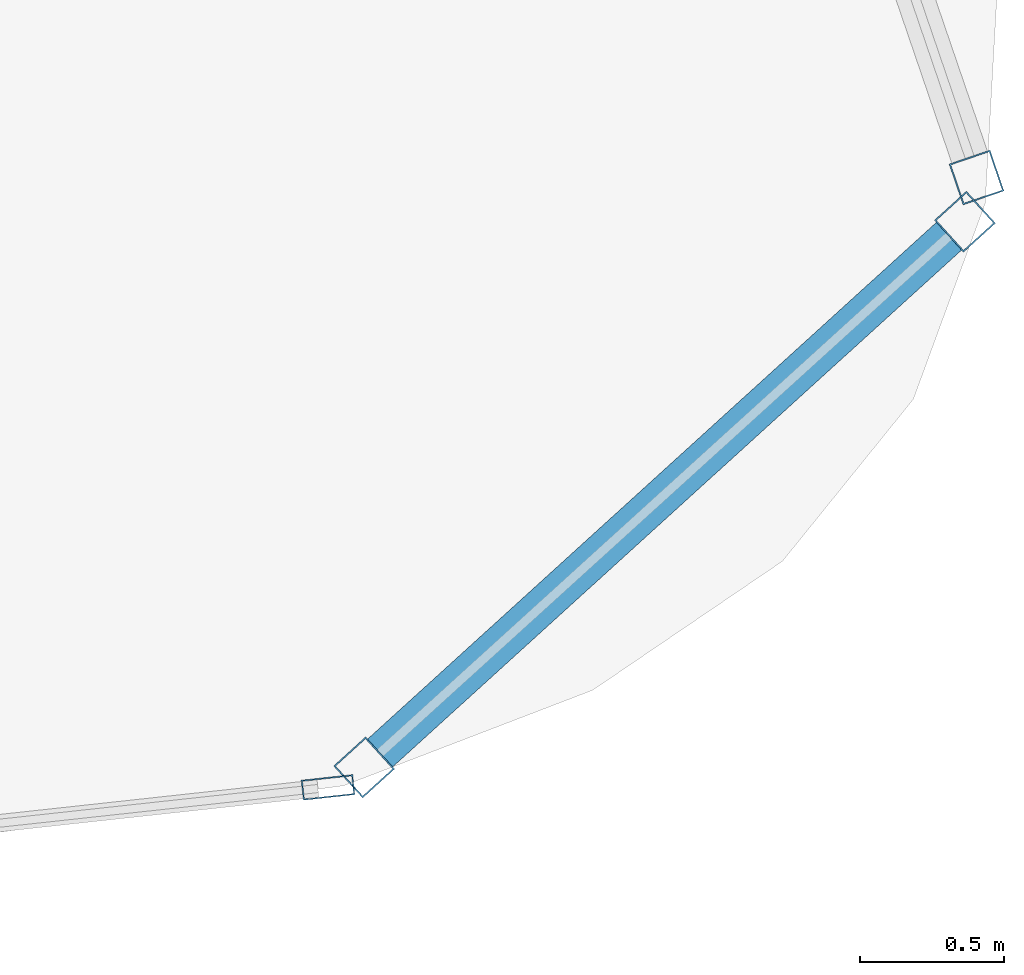
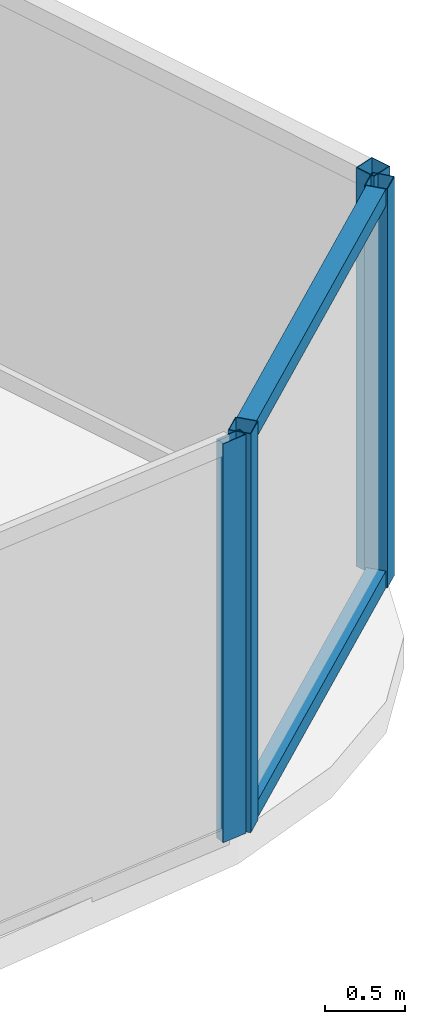
# One storey, part 15 of 33: 6 members, 3 elements without a shape of their own.
"""IFC4 building model written with IfcOpenShell, lengths in metres."""

from ifc_helpers import new_model, si_unit, direction, frame, origin, origin_2d, place, context, subcontext, project, spatial, hollow_rectangle, extrude, material, layer, layer_set, material_profile, profile_set, type_object, element, aggregate, save


model = new_model("IFC4")

# Units and contexts
model_context = context("Model", 3, precision=1e-05, world=origin(), true_north=direction((0.0, 1.0)))
body_context = subcontext(model_context, "Body", "Model", "MODEL_VIEW")
ifc_project = project(units=[si_unit("LENGTHUNIT", "METRE"), si_unit("AREAUNIT", "SQUARE_METRE"), si_unit("VOLUMEUNIT", "CUBIC_METRE"), si_unit("PLANEANGLEUNIT", "RADIAN"), si_unit("MASSUNIT", "GRAM", prefix="KILO")], contexts=[model_context])

# Site, building, storey
site_placement = place(None, origin())
site = spatial("IfcSite", under=ifc_project, at=site_placement, CompositionType="ELEMENT")
building_placement = place(site_placement, origin())
building = spatial("IfcBuilding", under=site, at=building_placement, Name="Orvanel Arch Residences", CompositionType="ELEMENT")
storey_placement = place(building_placement, frame((0.0, 0.0, 84.050048828125)))
storey = spatial("IfcBuildingStorey", under=building, at=storey_placement, Name="L23", CompositionType="ELEMENT", Elevation=84.050048828125)

# Curtain wall, members
ifc_material = material(Name="Bronze-anodised aluminium AA6063-T6", Category="aluminium")
ifc_layer_1 = layer(ifc_material, 0.18994140625)
ifc_layer_set_1 = layer_set([ifc_layer_1], Name="Bronze-anodised aluminium AA6063-T6")
curtain_wall_type_1 = type_object("IfcCurtainWallType", Name="CW5-CRN-SYS", PredefinedType="NOTDEFINED", material=ifc_layer_set_1)
curtain_wall_1_placement = place(storey_placement, origin())
curtain_wall_1 = element("IfcCurtainWall", 1, at=curtain_wall_1_placement, inside=storey, type_object=curtain_wall_type_1, Name="L23 CW5-CRN-SYS Unitised Curtain Wall", PredefinedType="NOTDEFINED")
ifc_material_profile_1 = material_profile(ifc_material, hollow_rectangle(XDim=0.14990234375, YDim=0.14990234375, WallThickness=0.0048828125, at=origin_2d()), Name="ALU150x150x5")
ifc_profile_set_1 = profile_set([ifc_material_profile_1], Name="Bronze-anodised aluminium AA6063-T6")
member_type_1 = type_object("IfcMemberType", Name="MUL-150x150", PredefinedType="MULLION", material=ifc_profile_set_1)
member_1_placement = place(storey_placement, frame((58.199462890625, 4.386474609375, 0.0), z_axis=(0.0, 0.0, 1.0), x_axis=(-0.672387273249, 0.740199537134, 0.0)))
member_1 = element("IfcMember", 2, at=member_1_placement, type_object=member_type_1, Name="CW-S5 mullion 1", PredefinedType="MULLION", context=body_context, shape_type="SweptSolid", body=[
    extrude(hollow_rectangle(XDim=0.14990234375, YDim=0.14990234375, WallThickness=0.0048828125, at=origin_2d()), origin(), (0.0, 0.0, 1.0), 3.06005859375),
])
member_2_placement = place(storey_placement, frame((60.282470703125, 6.278564453125, 0.0), z_axis=(0.0, 0.0, 1.0), x_axis=(-0.672387273249, 0.740199537134, 0.0)))
member_2 = element("IfcMember", 3, at=member_2_placement, type_object=member_type_1, Name="CW-S5 mullion 2", PredefinedType="MULLION", context=body_context, shape_type="SweptSolid", body=[
    extrude(hollow_rectangle(XDim=0.14990234375, YDim=0.14990234375, WallThickness=0.0048828125, at=origin_2d()), origin(), (0.0, 0.0, 1.0), 3.06005859375),
])

# Curtain wall, member
curtain_wall_2_placement = place(storey_placement, origin())
curtain_wall_2 = element("IfcCurtainWall", 4, at=curtain_wall_2_placement, inside=storey, type_object=curtain_wall_type_1, Name="L23 CW5-CRN-SYS Unitised Curtain Wall", PredefinedType="NOTDEFINED")
member_3_placement = place(storey_placement, frame((60.32275390625, 6.431884765625, 0.0), z_axis=(0.0, 0.0, 1.0), x_axis=(-0.946249453403, -0.32343774043, 0.0)))
member_3 = element("IfcMember", 5, at=member_3_placement, type_object=member_type_1, Name="CW-S5 mullion 1", PredefinedType="MULLION", context=body_context, shape_type="SweptSolid", body=[
    extrude(hollow_rectangle(XDim=0.14990234375, YDim=0.14990234375, WallThickness=0.0048828125, at=origin_2d()), origin(), (0.0, 0.0, 1.0), 3.06005859375),
])
aggregate(curtain_wall_2, [member_3])

ifc_layer_2 = layer(ifc_material, 0.179931640625)
ifc_layer_set_2 = layer_set([ifc_layer_2], Name="Bronze-anodised aluminium AA6063-T6")
curtain_wall_type_2 = type_object("IfcCurtainWallType", Name="CW2-LOW-SYS", PredefinedType="NOTDEFINED", material=ifc_layer_set_2)
curtain_wall_3_placement = place(storey_placement, origin())
curtain_wall_3 = element("IfcCurtainWall", 6, at=curtain_wall_3_placement, inside=storey, type_object=curtain_wall_type_2, Name="L23 CW2-LOW-SYS Unitised Curtain Wall", PredefinedType="NOTDEFINED")
ifc_material_profile_2 = material_profile(ifc_material, hollow_rectangle(XDim=0.070068359375, YDim=0.179931640625, WallThickness=0.00439453125, at=origin_2d()), Name="ALU180x70x4.5")
ifc_profile_set_2 = profile_set([ifc_material_profile_2], Name="Bronze-anodised aluminium AA6063-T6")
member_type_2 = type_object("IfcMemberType", Name="MUL-180x70", PredefinedType="MULLION", material=ifc_profile_set_2)
member_4_placement = place(storey_placement, frame((58.07421875, 4.317138671875, 0.0), z_axis=(0.0, 0.0, 1.0), x_axis=(-0.108307893213, 0.994117397629, 0.0)))
member_4 = element("IfcMember", 7, at=member_4_placement, type_object=member_type_2, Name="CW-S2 mullion 4", PredefinedType="MULLION", context=body_context, shape_type="SweptSolid", body=[
    extrude(hollow_rectangle(XDim=0.070068359375, YDim=0.179931640625, WallThickness=0.00439453125, at=origin_2d()), origin(), (0.0, 0.0, 1.0), 3.06005859375),
])
aggregate(curtain_wall_3, [member_4])

# Member
ifc_material_profile_3 = material_profile(ifc_material, hollow_rectangle(XDim=0.1298828125, YDim=0.1298828125, WallThickness=0.00439453125, at=origin_2d()), Name="ALU130x130x4.5")
ifc_profile_set_3 = profile_set([ifc_material_profile_3], Name="Bronze-anodised aluminium AA6063-T6")
member_type_3 = type_object("IfcMemberType", Name="TRN-130x130", PredefinedType="USERDEFINED", material=ifc_profile_set_3)
member_5_placement = place(storey_placement, frame((58.255126953125, 4.436767578125, 0.06494140625), z_axis=(0.74020126261, 0.672385373749, 0.0), x_axis=(-0.672385373749, 0.74020126261, 0.0)))
member_5 = element("IfcMember", 8, at=member_5_placement, type_object=member_type_3, Name="CW-S5 transom 1.1", ObjectType="TRANSOM", PredefinedType="USERDEFINED", context=body_context, shape_type="SweptSolid", body=[
    extrude(hollow_rectangle(XDim=0.1298828125, YDim=0.1298828125, WallThickness=0.00439453125, at=origin_2d()), origin(), (0.0, 0.0, 1.0), 2.6640625),
])

member_6_placement = place(storey_placement, frame((58.255126953125, 4.436767578125, 2.994873046875), z_axis=(0.74020126261, 0.672385373749, 0.0), x_axis=(-0.672385373749, 0.74020126261, 0.0)))
member_6 = element("IfcMember", 9, at=member_6_placement, type_object=member_type_3, Name="CW-S5 transom 1.2", ObjectType="TRANSOM", PredefinedType="USERDEFINED", context=body_context, shape_type="SweptSolid", body=[
    extrude(hollow_rectangle(XDim=0.1298828125, YDim=0.1298828125, WallThickness=0.00439453125, at=origin_2d()), origin(), (0.0, 0.0, 1.0), 2.6640625),
])

aggregate(curtain_wall_1, [member_1, member_2, member_5, member_6])

save(model, "model.ifc")
